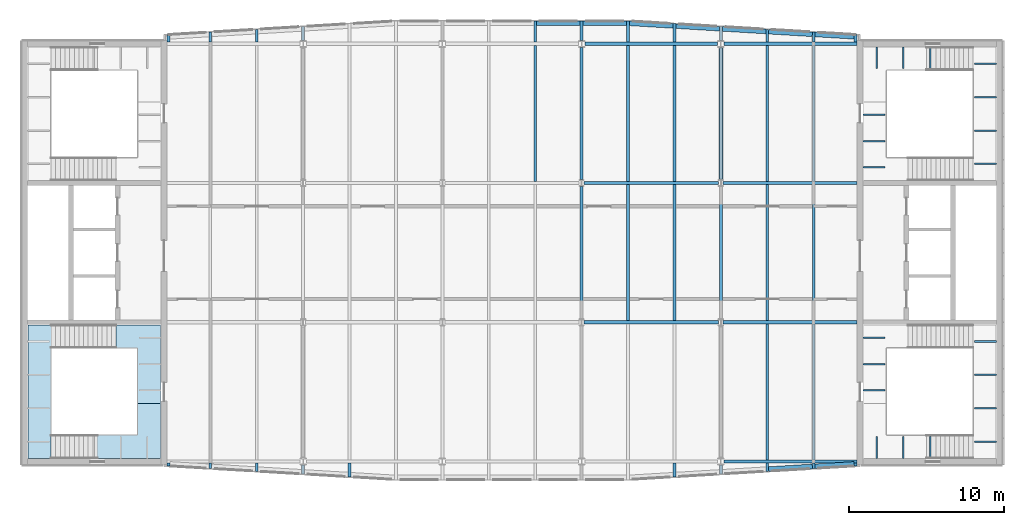
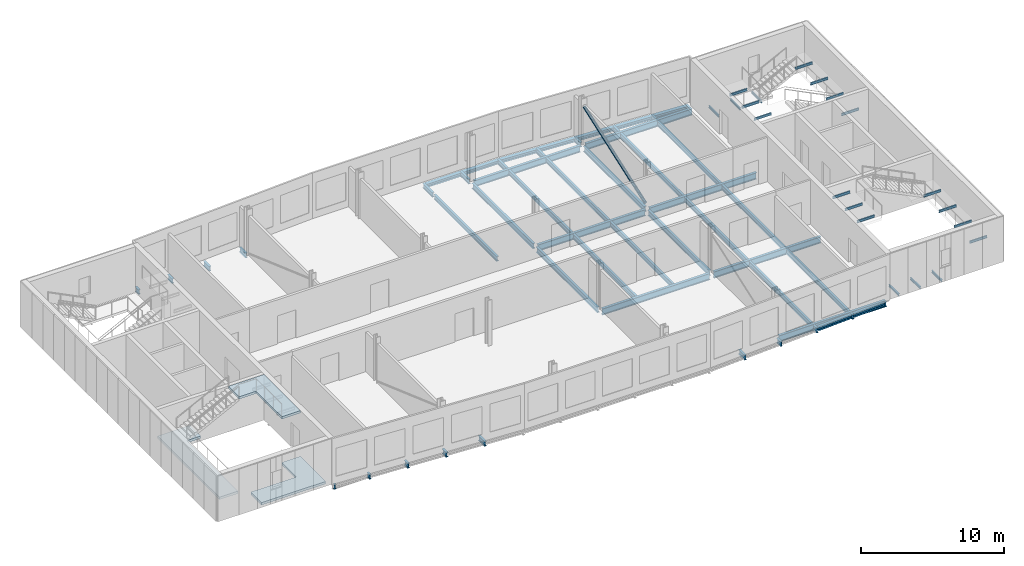
# One storey, part 2 of 9: 73 beams, 3 slabs, 1 member, 1 element without a shape of its own.
"""IFC4 building model written with IfcOpenShell, lengths in metres."""

from ifc_helpers import new_model, si_unit, direction, frame, origin, origin_2d, place, context, subcontext, project, spatial, polyline, hollow_circle, i_section, outline, extrude, material, layer, layer_set, material_profile, profile_set, type_object, element, aggregate, save


model = new_model("IFC4")

# Units and contexts
model_context = context("Model", 3, precision=1e-05, world=origin(), true_north=direction((0.0, 1.0)))
body_context = subcontext(model_context, "Body", "Model", "MODEL_VIEW")
ifc_project = project(units=[si_unit("LENGTHUNIT", "METRE"), si_unit("AREAUNIT", "SQUARE_METRE"), si_unit("VOLUMEUNIT", "CUBIC_METRE"), si_unit("PLANEANGLEUNIT", "RADIAN"), si_unit("MASSUNIT", "GRAM", prefix="KILO")], contexts=[model_context])

# Site, building, storey
site_placement = place(None, origin())
site = spatial("IfcSite", under=ifc_project, at=site_placement, CompositionType="ELEMENT")
building_placement = place(site_placement, origin())
building = spatial("IfcBuilding", under=site, at=building_placement, Name="Azimuth Sports and Learning Centre", CompositionType="ELEMENT")
storey_placement = place(building_placement, frame((0.0, 0.0, 51.89990234375)))
storey = spatial("IfcBuildingStorey", under=building, at=storey_placement, Name="L11", CompositionType="ELEMENT", Elevation=51.89990234375)

# Beams
ifc_material_1 = material(Name="Steel S355", Category="steel")
ifc_material_profile_1 = material_profile(ifc_material_1, i_section(OverallWidth=0.10009765625, OverallDepth=0.199951171875, WebThickness=0.005615234375, FlangeThickness=0.008544921875, FilletRadius=0.011962890625, at=origin_2d()), Name="IPE 200")
ifc_profile_set_1 = profile_set([ifc_material_profile_1], Name="Steel S355")
beam_type_1 = type_object("IfcBeamType", Name="Beam IPE 200", PredefinedType="BEAM", material=ifc_profile_set_1)
for number, where, z_axis, x_axis, name in (
    (1, (109.0732421875, 90.199951171875, -0.2998046875), (0.0, 1.0, 0.0), (-1.0, 0.0, 0.0), "Landing bracket E1 L11 465"),
    (2, (110.800048828125, 90.199951171875, -0.2998046875), (0.0, 1.0, 0.0), (-1.0, 0.0, 0.0), "Landing bracket E1 L11 466"),
    (3, (112.526611328125, 90.199951171875, -0.2998046875), (0.0, 1.0, 0.0), (-1.0, 0.0, 0.0), "Landing bracket E1 L11 467"),
    (4, (116.800048828125, 91.288818359375, 1.35009765625), (-1.0, 0.0, 0.0), (0.0, -1.0, 0.0), "Landing bracket E1 L11 468"),
    (5, (116.800048828125, 93.4462890625, 1.35009765625), (-1.0, 0.0, 0.0), (0.0, -1.0, 0.0), "Landing bracket E1 L11 469"),
    (6, (116.800048828125, 95.603759765625, 1.35009765625), (-1.0, 0.0, 0.0), (0.0, -1.0, 0.0), "Landing bracket E1 L11 470"),
    (7, (116.800048828125, 97.76123046875, 1.35009765625), (-1.0, 0.0, 0.0), (0.0, -1.0, 0.0), "Landing bracket E1 L11 471"),
    (8, (108.199951171875, 94.598388671875, 3.60009765625), (1.0, 0.0, 0.0), (0.0, 1.0, 0.0), "Landing bracket E1 L11 472"),
    (9, (108.199951171875, 96.294921875, 3.60009765625), (1.0, 0.0, 0.0), (0.0, 1.0, 0.0), "Landing bracket E1 L11 473"),
    (10, (108.199951171875, 97.99169921875, 3.60009765625), (1.0, 0.0, 0.0), (0.0, 1.0, 0.0), "Landing bracket E1 L11 474"),
    (11, (109.0732421875, 116.800048828125, -0.2998046875), (0.0, -1.0, 0.0), (1.0, 0.0, 0.0), "Landing bracket E2 L11 643"),
    (12, (110.800048828125, 116.800048828125, -0.2998046875), (0.0, -1.0, 0.0), (1.0, 0.0, 0.0), "Landing bracket E2 L11 644"),
    (13, (112.526611328125, 116.800048828125, -0.2998046875), (0.0, -1.0, 0.0), (1.0, 0.0, 0.0), "Landing bracket E2 L11 645"),
    (14, (116.800048828125, 109.23876953125, 1.35009765625), (-1.0, 0.0, 0.0), (0.0, -1.0, 0.0), "Landing bracket E2 L11 646"),
    (15, (116.800048828125, 111.396240234375, 1.35009765625), (-1.0, 0.0, 0.0), (0.0, -1.0, 0.0), "Landing bracket E2 L11 647"),
    (16, (116.800048828125, 113.5537109375, 1.35009765625), (-1.0, 0.0, 0.0), (0.0, -1.0, 0.0), "Landing bracket E2 L11 648"),
    (17, (116.800048828125, 115.711181640625, 1.35009765625), (-1.0, 0.0, 0.0), (0.0, -1.0, 0.0), "Landing bracket E2 L11 649"),
    (18, (108.199951171875, 109.00830078125, 3.60009765625), (1.0, 0.0, 0.0), (0.0, 1.0, 0.0), "Landing bracket E2 L11 650"),
    (19, (108.199951171875, 110.705078125, 3.60009765625), (1.0, 0.0, 0.0), (0.0, 1.0, 0.0), "Landing bracket E2 L11 651"),
    (20, (108.199951171875, 112.401611328125, 3.60009765625), (1.0, 0.0, 0.0), (0.0, 1.0, 0.0), "Landing bracket E2 L11 652"),
):
    element("IfcBeam", number, at=place(storey_placement, frame(where, z_axis=z_axis, x_axis=x_axis)), inside=storey, type_object=beam_type_1, Name=name, PredefinedType="BEAM", context=body_context, shape_type="SweptSolid", body=[
        extrude(i_section(OverallWidth=0.10009765625, OverallDepth=0.199951171875, WebThickness=0.005615234375, FlangeThickness=0.008544921875, FilletRadius=0.011962890625, at=origin_2d()), origin(), (0.0, 0.0, 1.0), 1.41015625),
    ])
ifc_material_2 = material(Name="Steel S355", Category="steel")
ifc_material_profile_2 = material_profile(ifc_material_2, i_section(OverallWidth=0.18994140625, OverallDepth=0.449951171875, WebThickness=0.009521484375, FlangeThickness=0.0146484375, FilletRadius=0.02099609375, at=origin_2d()), Name="IPE 450")
ifc_profile_set_2 = profile_set([ifc_material_profile_2], Name="Steel S355")
beam_type_2 = type_object("IfcBeamType", Name="Beam IPE 450", PredefinedType="BEAM", material=ifc_profile_set_2)
beam_1_placement = place(storey_placement, frame((90.0, 99.216064453125, -0.35498046875), z_axis=(0.0, 1.0, 0.0), x_axis=(-1.0, 0.0, 0.0)))
element("IfcBeam", 21, at=beam_1_placement, inside=storey, type_object=beam_type_2, Name="Tower tie", PredefinedType="BEAM", context=body_context, shape_type="SweptSolid", body=[
    extrude(i_section(OverallWidth=0.18994140625, OverallDepth=0.449951171875, WebThickness=0.009521484375, FlangeThickness=0.0146484375, FilletRadius=0.02099609375, at=origin_2d()), origin(), (0.0, 0.0, 1.0), 8.56787109375),
])
beam_2_placement = place(storey_placement, frame((90.0, 108.216064453125, -0.35498046875), z_axis=(0.0, 1.0, 0.0), x_axis=(-1.0, 0.0, 0.0)))
element("IfcBeam", 22, at=beam_2_placement, inside=storey, type_object=beam_type_2, Name="Tower tie", PredefinedType="BEAM", context=body_context, shape_type="SweptSolid", body=[
    extrude(i_section(OverallWidth=0.18994140625, OverallDepth=0.449951171875, WebThickness=0.009521484375, FlangeThickness=0.0146484375, FilletRadius=0.02099609375, at=origin_2d()), origin(), (0.0, 0.0, 1.0), 8.556396484375),
])
beam_3_placement = place(storey_placement, frame((99.0, 99.216064453125, -0.35498046875), z_axis=(0.0, 1.0, 0.0), x_axis=(-1.0, 0.0, 0.0)))
element("IfcBeam", 23, at=beam_3_placement, inside=storey, type_object=beam_type_2, Name="Tower tie", PredefinedType="BEAM", context=body_context, shape_type="SweptSolid", body=[
    extrude(i_section(OverallWidth=0.18994140625, OverallDepth=0.449951171875, WebThickness=0.009521484375, FlangeThickness=0.0146484375, FilletRadius=0.02099609375, at=origin_2d()), origin(), (0.0, 0.0, 1.0), 8.56787109375),
])
beam_4_placement = place(storey_placement, frame((99.0, 108.216064453125, -0.35498046875), z_axis=(0.0, 1.0, 0.0), x_axis=(-1.0, 0.0, 0.0)))
element("IfcBeam", 24, at=beam_4_placement, inside=storey, type_object=beam_type_2, Name="Tower tie", PredefinedType="BEAM", context=body_context, shape_type="SweptSolid", body=[
    extrude(i_section(OverallWidth=0.18994140625, OverallDepth=0.449951171875, WebThickness=0.009521484375, FlangeThickness=0.0146484375, FilletRadius=0.02099609375, at=origin_2d()), origin(), (0.0, 0.0, 1.0), 8.556396484375),
])
ifc_material_3 = material(Name="Steel S355", Category="steel")
ifc_material_profile_3 = material_profile(ifc_material_3, i_section(OverallWidth=0.2099609375, OverallDepth=0.550048828125, WebThickness=0.010986328125, FlangeThickness=0.01708984375, FilletRadius=0.02392578125, at=origin_2d()), Name="IPE 550")
ifc_profile_set_3 = profile_set([ifc_material_profile_3], Name="Steel S355")
beam_type_3 = type_object("IfcBeamType", Name="Beam IPE 550", PredefinedType="BEAM", material=ifc_profile_set_3)
beam_5_placement = place(storey_placement, frame((99.208984375, 90.0, -0.40478515625), z_axis=(1.0, 0.0, 0.0), x_axis=(0.0, 1.0, 0.0)))
element("IfcBeam", 25, at=beam_5_placement, inside=storey, type_object=beam_type_3, Name="Tower girder L11", PredefinedType="BEAM", context=body_context, shape_type="SweptSolid", body=[
    extrude(i_section(OverallWidth=0.2099609375, OverallDepth=0.550048828125, WebThickness=0.010986328125, FlangeThickness=0.01708984375, FilletRadius=0.02392578125, at=origin_2d()), origin(), (0.0, 0.0, 1.0), 8.591064453125),
])
beam_6_placement = place(storey_placement, frame((90.153564453125, 99.0, -0.40478515625), z_axis=(1.0, 0.0, 0.0), x_axis=(0.0, 1.0, 0.0)))
element("IfcBeam", 26, at=beam_6_placement, inside=storey, type_object=beam_type_3, Name="Tower girder L11", PredefinedType="BEAM", context=body_context, shape_type="SweptSolid", body=[
    extrude(i_section(OverallWidth=0.2099609375, OverallDepth=0.550048828125, WebThickness=0.010986328125, FlangeThickness=0.01708984375, FilletRadius=0.02392578125, at=origin_2d()), origin(), (0.0, 0.0, 1.0), 8.69287109375),
])
beam_7_placement = place(storey_placement, frame((99.153564453125, 99.0, -0.40478515625), z_axis=(1.0, 0.0, 0.0), x_axis=(0.0, 1.0, 0.0)))
element("IfcBeam", 27, at=beam_7_placement, inside=storey, type_object=beam_type_3, Name="Tower girder L11", PredefinedType="BEAM", context=body_context, shape_type="SweptSolid", body=[
    extrude(i_section(OverallWidth=0.2099609375, OverallDepth=0.550048828125, WebThickness=0.010986328125, FlangeThickness=0.01708984375, FilletRadius=0.02392578125, at=origin_2d()), origin(), (0.0, 0.0, 1.0), 8.646484375),
])
beam_8_placement = place(storey_placement, frame((90.153564453125, 108.0, -0.40478515625), z_axis=(1.0, 0.0, 0.0), x_axis=(0.0, 1.0, 0.0)))
element("IfcBeam", 28, at=beam_8_placement, inside=storey, type_object=beam_type_3, Name="Tower girder L11", PredefinedType="BEAM", context=body_context, shape_type="SweptSolid", body=[
    extrude(i_section(OverallWidth=0.2099609375, OverallDepth=0.550048828125, WebThickness=0.010986328125, FlangeThickness=0.01708984375, FilletRadius=0.02392578125, at=origin_2d()), origin(), (0.0, 0.0, 1.0), 8.69287109375),
])
beam_9_placement = place(storey_placement, frame((99.153564453125, 108.0, -0.40478515625), z_axis=(1.0, 0.0, 0.0), x_axis=(0.0, 1.0, 0.0)))
element("IfcBeam", 29, at=beam_9_placement, inside=storey, type_object=beam_type_3, Name="Tower girder L11", PredefinedType="BEAM", context=body_context, shape_type="SweptSolid", body=[
    extrude(i_section(OverallWidth=0.2099609375, OverallDepth=0.550048828125, WebThickness=0.010986328125, FlangeThickness=0.01708984375, FilletRadius=0.02392578125, at=origin_2d()), origin(), (0.0, 0.0, 1.0), 8.646484375),
])
beam_10_placement = place(storey_placement, frame((90.208984375, 117.0, -0.40478515625), z_axis=(1.0, 0.0, 0.0), x_axis=(0.0, 1.0, 0.0)))
element("IfcBeam", 30, at=beam_10_placement, inside=storey, type_object=beam_type_3, Name="Tower girder L11", PredefinedType="BEAM", context=body_context, shape_type="SweptSolid", body=[
    extrude(i_section(OverallWidth=0.2099609375, OverallDepth=0.550048828125, WebThickness=0.010986328125, FlangeThickness=0.01708984375, FilletRadius=0.02392578125, at=origin_2d()), origin(), (0.0, 0.0, 1.0), 8.58203125),
])
beam_11_placement = place(storey_placement, frame((99.208984375, 117.0, -0.40478515625), z_axis=(1.0, 0.0, 0.0), x_axis=(0.0, 1.0, 0.0)))
element("IfcBeam", 31, at=beam_11_placement, inside=storey, type_object=beam_type_3, Name="Tower girder L11", PredefinedType="BEAM", context=body_context, shape_type="SweptSolid", body=[
    extrude(i_section(OverallWidth=0.2099609375, OverallDepth=0.550048828125, WebThickness=0.010986328125, FlangeThickness=0.01708984375, FilletRadius=0.02392578125, at=origin_2d()), origin(), (0.0, 0.0, 1.0), 8.591064453125),
])

# Member
ifc_material_4 = material(Name="Steel S355", Category="steel")
ifc_material_profile_4 = material_profile(ifc_material_4, hollow_circle(Radius=0.122314453125, WallThickness=0.012451171875, at=origin_2d()), Name="CHS 244.5x12.5")
ifc_profile_set_4 = profile_set([ifc_material_profile_4], Name="Steel S355")
member_type = type_object("IfcMemberType", Name="Brace CHS 244.5x12.5", PredefinedType="BRACE", material=ifc_profile_set_4)
member_placement = place(storey_placement, frame((99.0, 108.237060546875, 0.169921875), z_axis=(0.0, 0.942103788853, 0.33532141451), x_axis=(-1.0, 0.0, 0.0)))
element("IfcMember", 32, at=member_placement, inside=storey, type_object=member_type, Name="Tower brace 12 L11", PredefinedType="BRACE", context=body_context, shape_type="SweptSolid", body=[
    extrude(hollow_circle(Radius=0.122314453125, WallThickness=0.012451171875, at=origin_2d()), origin(), (0.0, 0.0, 1.0), 9.03759765625),
])

# Beams
ifc_material_5 = material(Name="Steel S355", Category="steel")
ifc_material_profile_5 = material_profile(ifc_material_5, i_section(OverallWidth=0.179931640625, OverallDepth=0.39990234375, WebThickness=0.008544921875, FlangeThickness=0.013427734375, FilletRadius=0.02099609375, at=origin_2d()), Name="IPE 400")
ifc_profile_set_5 = profile_set([ifc_material_profile_5], Name="Steel S355")
beam_type_4 = type_object("IfcBeamType", Name="Cantilever stub IPE 400", PredefinedType="JOIST", material=ifc_profile_set_5)
beam_12_placement = place(storey_placement, frame((63.2900390625, 89.89501953125, -0.329833984375), z_axis=(0.0, -1.0, 0.0), x_axis=(1.0, 0.0, 0.0)))
element("IfcBeam", 33, at=beam_12_placement, inside=storey, type_object=beam_type_4, Name="Tower cantilever stub", PredefinedType="JOIST", context=body_context, shape_type="SweptSolid", body=[
    extrude(i_section(OverallWidth=0.179931640625, OverallDepth=0.39990234375, WebThickness=0.008544921875, FlangeThickness=0.013427734375, FilletRadius=0.02099609375, at=origin_2d()), origin(), (0.0, 0.0, 1.0), 0.1923828125),
])
beam_13_placement = place(storey_placement, frame((66.0, 89.89501953125, -0.329833984375), z_axis=(0.0, -1.0, 0.0), x_axis=(1.0, 0.0, 0.0)))
element("IfcBeam", 34, at=beam_13_placement, inside=storey, type_object=beam_type_4, Name="Tower cantilever stub", PredefinedType="JOIST", context=body_context, shape_type="SweptSolid", body=[
    extrude(i_section(OverallWidth=0.179931640625, OverallDepth=0.39990234375, WebThickness=0.008544921875, FlangeThickness=0.013427734375, FilletRadius=0.02099609375, at=origin_2d()), origin(), (0.0, 0.0, 1.0), 0.35498046875),
])
beam_14_placement = place(storey_placement, frame((69.0, 89.89501953125, -0.329833984375), z_axis=(0.0, -1.0, 0.0), x_axis=(1.0, 0.0, 0.0)))
element("IfcBeam", 35, at=beam_14_placement, inside=storey, type_object=beam_type_4, Name="Tower cantilever stub", PredefinedType="JOIST", context=body_context, shape_type="SweptSolid", body=[
    extrude(i_section(OverallWidth=0.179931640625, OverallDepth=0.39990234375, WebThickness=0.008544921875, FlangeThickness=0.013427734375, FilletRadius=0.02099609375, at=origin_2d()), origin(), (0.0, 0.0, 1.0), 0.534912109375),
])
beam_15_placement = place(storey_placement, frame((72.0, 89.7724609375, -0.329833984375), z_axis=(0.0, -1.0, 0.0), x_axis=(1.0, 0.0, 0.0)))
element("IfcBeam", 36, at=beam_15_placement, inside=storey, type_object=beam_type_4, Name="Tower cantilever stub", PredefinedType="JOIST", context=body_context, shape_type="SweptSolid", body=[
    extrude(i_section(OverallWidth=0.179931640625, OverallDepth=0.39990234375, WebThickness=0.008544921875, FlangeThickness=0.013427734375, FilletRadius=0.02099609375, at=origin_2d()), origin(), (0.0, 0.0, 1.0), 0.592529296875),
])
for number, where, z_axis, x_axis, name in (
    (37, (75.0, 89.89501953125, -0.329833984375), (0.0, -1.0, 0.0), (1.0, 0.0, 0.0), "Tower cantilever stub"),
    (38, (96.0, 89.89501953125, -0.329833984375), (0.0, -1.0, 0.0), (1.0, 0.0, 0.0), "Tower cantilever stub"),
):
    element("IfcBeam", number, at=place(storey_placement, frame(where, z_axis=z_axis, x_axis=x_axis)), inside=storey, type_object=beam_type_4, Name=name, PredefinedType="JOIST", context=body_context, shape_type="SweptSolid", body=[
        extrude(i_section(OverallWidth=0.179931640625, OverallDepth=0.39990234375, WebThickness=0.008544921875, FlangeThickness=0.013427734375, FilletRadius=0.02099609375, at=origin_2d()), origin(), (0.0, 0.0, 1.0), 0.89501953125),
    ])
beam_16_placement = place(storey_placement, frame((99.0, 89.7724609375, -0.329833984375), z_axis=(0.0, -1.0, 0.0), x_axis=(1.0, 0.0, 0.0)))
element("IfcBeam", 39, at=beam_16_placement, inside=storey, type_object=beam_type_4, Name="Tower cantilever stub", PredefinedType="JOIST", context=body_context, shape_type="SweptSolid", body=[
    extrude(i_section(OverallWidth=0.179931640625, OverallDepth=0.39990234375, WebThickness=0.008544921875, FlangeThickness=0.013427734375, FilletRadius=0.02099609375, at=origin_2d()), origin(), (0.0, 0.0, 1.0), 0.592529296875),
])
beam_17_placement = place(storey_placement, frame((102.0, 89.89501953125, -0.329833984375), z_axis=(0.0, -1.0, 0.0), x_axis=(1.0, 0.0, 0.0)))
element("IfcBeam", 40, at=beam_17_placement, inside=storey, type_object=beam_type_4, Name="Tower cantilever stub", PredefinedType="JOIST", context=body_context, shape_type="SweptSolid", body=[
    extrude(i_section(OverallWidth=0.179931640625, OverallDepth=0.39990234375, WebThickness=0.008544921875, FlangeThickness=0.013427734375, FilletRadius=0.02099609375, at=origin_2d()), origin(), (0.0, 0.0, 1.0), 0.534912109375),
])
beam_18_placement = place(storey_placement, frame((105.0, 89.89501953125, -0.329833984375), z_axis=(0.0, -1.0, 0.0), x_axis=(1.0, 0.0, 0.0)))
element("IfcBeam", 41, at=beam_18_placement, inside=storey, type_object=beam_type_4, Name="Tower cantilever stub", PredefinedType="JOIST", context=body_context, shape_type="SweptSolid", body=[
    extrude(i_section(OverallWidth=0.179931640625, OverallDepth=0.39990234375, WebThickness=0.008544921875, FlangeThickness=0.013427734375, FilletRadius=0.02099609375, at=origin_2d()), origin(), (0.0, 0.0, 1.0), 0.35498046875),
])
beam_19_placement = place(storey_placement, frame((107.7099609375, 89.89501953125, -0.329833984375), z_axis=(0.0, -1.0, 0.0), x_axis=(1.0, 0.0, 0.0)))
element("IfcBeam", 42, at=beam_19_placement, inside=storey, type_object=beam_type_4, Name="Tower cantilever stub", PredefinedType="JOIST", context=body_context, shape_type="SweptSolid", body=[
    extrude(i_section(OverallWidth=0.179931640625, OverallDepth=0.39990234375, WebThickness=0.008544921875, FlangeThickness=0.013427734375, FilletRadius=0.02099609375, at=origin_2d()), origin(), (0.0, 0.0, 1.0), 0.1923828125),
])
beam_20_placement = place(storey_placement, frame((63.2900390625, 117.10498046875, -0.329833984375), z_axis=(0.0, 1.0, 0.0), x_axis=(-1.0, 0.0, 0.0)))
element("IfcBeam", 43, at=beam_20_placement, inside=storey, type_object=beam_type_4, Name="Tower cantilever stub", PredefinedType="JOIST", context=body_context, shape_type="SweptSolid", body=[
    extrude(i_section(OverallWidth=0.179931640625, OverallDepth=0.39990234375, WebThickness=0.008544921875, FlangeThickness=0.013427734375, FilletRadius=0.02099609375, at=origin_2d()), origin(), (0.0, 0.0, 1.0), 0.492431640625),
])
beam_21_placement = place(storey_placement, frame((66.0, 117.10498046875, -0.329833984375), z_axis=(0.0, 1.0, 0.0), x_axis=(-1.0, 0.0, 0.0)))
element("IfcBeam", 44, at=beam_21_placement, inside=storey, type_object=beam_type_4, Name="Tower cantilever stub", PredefinedType="JOIST", context=body_context, shape_type="SweptSolid", body=[
    extrude(i_section(OverallWidth=0.179931640625, OverallDepth=0.39990234375, WebThickness=0.008544921875, FlangeThickness=0.013427734375, FilletRadius=0.02099609375, at=origin_2d()), origin(), (0.0, 0.0, 1.0), 0.655029296875),
])
beam_22_placement = place(storey_placement, frame((69.0, 117.10498046875, -0.329833984375), z_axis=(0.0, 1.0, 0.0), x_axis=(-1.0, 0.0, 0.0)))
element("IfcBeam", 45, at=beam_22_placement, inside=storey, type_object=beam_type_4, Name="Tower cantilever stub", PredefinedType="JOIST", context=body_context, shape_type="SweptSolid", body=[
    extrude(i_section(OverallWidth=0.179931640625, OverallDepth=0.39990234375, WebThickness=0.008544921875, FlangeThickness=0.013427734375, FilletRadius=0.02099609375, at=origin_2d()), origin(), (0.0, 0.0, 1.0), 0.8349609375),
])
beam_23_placement = place(storey_placement, frame((72.0, 117.2275390625, -0.329833984375), z_axis=(0.0, 1.0, 0.0), x_axis=(-1.0, 0.0, 0.0)))
element("IfcBeam", 46, at=beam_23_placement, inside=storey, type_object=beam_type_4, Name="Tower cantilever stub", PredefinedType="JOIST", context=body_context, shape_type="SweptSolid", body=[
    extrude(i_section(OverallWidth=0.179931640625, OverallDepth=0.39990234375, WebThickness=0.008544921875, FlangeThickness=0.013427734375, FilletRadius=0.02099609375, at=origin_2d()), origin(), (0.0, 0.0, 1.0), 0.892578125),
])
beam_24_placement = place(storey_placement, frame((87.0, 117.10498046875, -0.329833984375), z_axis=(0.0, 1.0, 0.0), x_axis=(-1.0, 0.0, 0.0)))
element("IfcBeam", 47, at=beam_24_placement, inside=storey, type_object=beam_type_4, Name="Tower cantilever stub", PredefinedType="JOIST", context=body_context, shape_type="SweptSolid", body=[
    extrude(i_section(OverallWidth=0.179931640625, OverallDepth=0.39990234375, WebThickness=0.008544921875, FlangeThickness=0.013427734375, FilletRadius=0.02099609375, at=origin_2d()), origin(), (0.0, 0.0, 1.0), 1.375),
])
beam_25_placement = place(storey_placement, frame((90.0, 117.2275390625, -0.329833984375), z_axis=(0.0, 1.0, 0.0), x_axis=(-1.0, 0.0, 0.0)))
element("IfcBeam", 48, at=beam_25_placement, inside=storey, type_object=beam_type_4, Name="Tower cantilever stub", PredefinedType="JOIST", context=body_context, shape_type="SweptSolid", body=[
    extrude(i_section(OverallWidth=0.179931640625, OverallDepth=0.39990234375, WebThickness=0.008544921875, FlangeThickness=0.013427734375, FilletRadius=0.02099609375, at=origin_2d()), origin(), (0.0, 0.0, 1.0), 1.25244140625),
])
beam_26_placement = place(storey_placement, frame((93.0, 117.10498046875, -0.329833984375), z_axis=(0.0, 1.0, 0.0), x_axis=(-1.0, 0.0, 0.0)))
element("IfcBeam", 49, at=beam_26_placement, inside=storey, type_object=beam_type_4, Name="Tower cantilever stub", PredefinedType="JOIST", context=body_context, shape_type="SweptSolid", body=[
    extrude(i_section(OverallWidth=0.179931640625, OverallDepth=0.39990234375, WebThickness=0.008544921875, FlangeThickness=0.013427734375, FilletRadius=0.02099609375, at=origin_2d()), origin(), (0.0, 0.0, 1.0), 1.375),
])
beam_27_placement = place(storey_placement, frame((96.0, 117.10498046875, -0.329833984375), z_axis=(0.0, 1.0, 0.0), x_axis=(-1.0, 0.0, 0.0)))
element("IfcBeam", 50, at=beam_27_placement, inside=storey, type_object=beam_type_4, Name="Tower cantilever stub", PredefinedType="JOIST", context=body_context, shape_type="SweptSolid", body=[
    extrude(i_section(OverallWidth=0.179931640625, OverallDepth=0.39990234375, WebThickness=0.008544921875, FlangeThickness=0.013427734375, FilletRadius=0.02099609375, at=origin_2d()), origin(), (0.0, 0.0, 1.0), 1.195068359375),
])
beam_28_placement = place(storey_placement, frame((99.0, 117.2275390625, -0.329833984375), z_axis=(0.0, 1.0, 0.0), x_axis=(-1.0, 0.0, 0.0)))
element("IfcBeam", 51, at=beam_28_placement, inside=storey, type_object=beam_type_4, Name="Tower cantilever stub", PredefinedType="JOIST", context=body_context, shape_type="SweptSolid", body=[
    extrude(i_section(OverallWidth=0.179931640625, OverallDepth=0.39990234375, WebThickness=0.008544921875, FlangeThickness=0.013427734375, FilletRadius=0.02099609375, at=origin_2d()), origin(), (0.0, 0.0, 1.0), 0.892578125),
])
beam_29_placement = place(storey_placement, frame((102.0, 117.10498046875, -0.329833984375), z_axis=(0.0, 1.0, 0.0), x_axis=(-1.0, 0.0, 0.0)))
element("IfcBeam", 52, at=beam_29_placement, inside=storey, type_object=beam_type_4, Name="Tower cantilever stub", PredefinedType="JOIST", context=body_context, shape_type="SweptSolid", body=[
    extrude(i_section(OverallWidth=0.179931640625, OverallDepth=0.39990234375, WebThickness=0.008544921875, FlangeThickness=0.013427734375, FilletRadius=0.02099609375, at=origin_2d()), origin(), (0.0, 0.0, 1.0), 0.8349609375),
])
beam_30_placement = place(storey_placement, frame((105.0, 117.10498046875, -0.329833984375), z_axis=(0.0, 1.0, 0.0), x_axis=(-1.0, 0.0, 0.0)))
element("IfcBeam", 53, at=beam_30_placement, inside=storey, type_object=beam_type_4, Name="Tower cantilever stub", PredefinedType="JOIST", context=body_context, shape_type="SweptSolid", body=[
    extrude(i_section(OverallWidth=0.179931640625, OverallDepth=0.39990234375, WebThickness=0.008544921875, FlangeThickness=0.013427734375, FilletRadius=0.02099609375, at=origin_2d()), origin(), (0.0, 0.0, 1.0), 0.655029296875),
])
beam_31_placement = place(storey_placement, frame((107.7099609375, 117.10498046875, -0.329833984375), z_axis=(0.0, 1.0, 0.0), x_axis=(-1.0, 0.0, 0.0)))
element("IfcBeam", 54, at=beam_31_placement, inside=storey, type_object=beam_type_4, Name="Tower cantilever stub", PredefinedType="JOIST", context=body_context, shape_type="SweptSolid", body=[
    extrude(i_section(OverallWidth=0.179931640625, OverallDepth=0.39990234375, WebThickness=0.008544921875, FlangeThickness=0.013427734375, FilletRadius=0.02099609375, at=origin_2d()), origin(), (0.0, 0.0, 1.0), 0.492431640625),
])
ifc_material_6 = material(Name="Steel S355", Category="steel")
ifc_material_profile_6 = material_profile(ifc_material_6, i_section(OverallWidth=0.300048828125, OverallDepth=0.2900390625, WebThickness=0.008544921875, FlangeThickness=0.013916015625, FilletRadius=0.027099609375, at=origin_2d()), Name="HEA 300")
ifc_profile_set_6 = profile_set([ifc_material_profile_6], Name="Steel S355")
beam_type_5 = type_object("IfcBeamType", Name="Edge beam HEA 300", PredefinedType="SPANDREL", material=ifc_profile_set_6)
beam_32_placement = place(storey_placement, frame((102.090087890625, 89.515380859375, -0.27490234375), z_axis=(0.998204845466, 0.059892290728, 0.0), x_axis=(-0.059892290728, 0.998204845466, 0.0)))
element("IfcBeam", 55, at=beam_32_placement, inside=storey, type_object=beam_type_5, Name="Tower edge beam", PredefinedType="SPANDREL", context=body_context, shape_type="SweptSolid", body=[
    extrude(i_section(OverallWidth=0.300048828125, OverallDepth=0.2900390625, WebThickness=0.008544921875, FlangeThickness=0.013916015625, FilletRadius=0.027099609375, at=origin_2d()), origin(), (0.0, 0.0, 1.0), 2.824951171875),
])
beam_33_placement = place(storey_placement, frame((105.090087890625, 89.6953125, -0.27490234375), z_axis=(0.998203578329, 0.059913405937, 0.0), x_axis=(-0.059913405937, 0.998203578329, 0.0)))
element("IfcBeam", 56, at=beam_33_placement, inside=storey, type_object=beam_type_5, Name="Tower edge beam", PredefinedType="SPANDREL", context=body_context, shape_type="SweptSolid", body=[
    extrude(i_section(OverallWidth=0.300048828125, OverallDepth=0.2900390625, WebThickness=0.008544921875, FlangeThickness=0.013916015625, FilletRadius=0.027099609375, at=origin_2d()), origin(), (0.0, 0.0, 1.0), 2.53466796875),
])
for number, where, z_axis, x_axis, name in (
    (57, (87.090087890625, 118.330078125, -0.27490234375), (1.0, 0.0, 0.0), (0.0, 1.0, 0.0), "Tower edge beam"),
    (58, (90.090087890625, 118.330078125, -0.27490234375), (1.0, 0.0, 0.0), (0.0, 1.0, 0.0), "Tower edge beam"),
):
    element("IfcBeam", number, at=place(storey_placement, frame(where, z_axis=z_axis, x_axis=x_axis)), inside=storey, type_object=beam_type_5, Name=name, PredefinedType="SPANDREL", context=body_context, shape_type="SweptSolid", body=[
        extrude(i_section(OverallWidth=0.300048828125, OverallDepth=0.2900390625, WebThickness=0.008544921875, FlangeThickness=0.013916015625, FilletRadius=0.027099609375, at=origin_2d()), origin(), (0.0, 0.0, 1.0), 2.81982421875),
    ])
for number, where, z_axis, x_axis, name in (
    (59, (93.090087890625, 118.32470703125, -0.27490234375), (0.998204845466, -0.059892290728, 0.0), (0.059892290728, 0.998204845466, 0.0), "Tower edge beam"),
    (60, (96.090087890625, 118.14453125, -0.27490234375), (0.998204845466, -0.059892290728, 0.0), (0.059892290728, 0.998204845466, 0.0), "Tower edge beam"),
    (61, (99.090087890625, 117.964599609375, -0.27490234375), (0.998204845466, -0.059892290728, 0.0), (0.059892290728, 0.998204845466, 0.0), "Tower edge beam"),
    (62, (102.090087890625, 117.78466796875, -0.27490234375), (0.998204845466, -0.059892290728, 0.0), (0.059892290728, 0.998204845466, 0.0), "Tower edge beam"),
):
    element("IfcBeam", number, at=place(storey_placement, frame(where, z_axis=z_axis, x_axis=x_axis)), inside=storey, type_object=beam_type_5, Name=name, PredefinedType="SPANDREL", context=body_context, shape_type="SweptSolid", body=[
        extrude(i_section(OverallWidth=0.300048828125, OverallDepth=0.2900390625, WebThickness=0.008544921875, FlangeThickness=0.013916015625, FilletRadius=0.027099609375, at=origin_2d()), origin(), (0.0, 0.0, 1.0), 2.824951171875),
    ])
beam_34_placement = place(storey_placement, frame((105.090087890625, 117.6044921875, -0.27490234375), z_axis=(0.998209334468, -0.059817427068, 0.0), x_axis=(0.059817427068, 0.998209334468, 0.0)))
element("IfcBeam", 63, at=beam_34_placement, inside=storey, type_object=beam_type_5, Name="Tower edge beam", PredefinedType="SPANDREL", context=body_context, shape_type="SweptSolid", body=[
    extrude(i_section(OverallWidth=0.300048828125, OverallDepth=0.2900390625, WebThickness=0.008544921875, FlangeThickness=0.013916015625, FilletRadius=0.027099609375, at=origin_2d()), origin(), (0.0, 0.0, 1.0), 2.53466796875),
])
ifc_material_7 = material(Name="Steel S355", Category="steel")
ifc_material_profile_7 = material_profile(ifc_material_7, i_section(OverallWidth=0.179931640625, OverallDepth=0.39990234375, WebThickness=0.008544921875, FlangeThickness=0.013427734375, FilletRadius=0.02099609375, at=origin_2d()), Name="IPE 400")
ifc_profile_set_7 = profile_set([ifc_material_profile_7], Name="Steel S355")
beam_type_6 = type_object("IfcBeamType", Name="Joist IPE 400", PredefinedType="JOIST", material=ifc_profile_set_7)
for number, where, z_axis, x_axis, name in (
    (64, (87.0, 108.10498046875, -0.329833984375), (0.0, 1.0, 0.0), (-1.0, 0.0, 0.0), "Tower joist"),
    (65, (93.0, 99.10498046875, -0.329833984375), (0.0, 1.0, 0.0), (-1.0, 0.0, 0.0), "Tower joist"),
    (66, (93.0, 108.10498046875, -0.329833984375), (0.0, 1.0, 0.0), (-1.0, 0.0, 0.0), "Tower joist"),
    (67, (96.0, 99.10498046875, -0.329833984375), (0.0, 1.0, 0.0), (-1.0, 0.0, 0.0), "Tower joist"),
    (68, (96.0, 108.10498046875, -0.329833984375), (0.0, 1.0, 0.0), (-1.0, 0.0, 0.0), "Tower joist"),
    (69, (102.0, 90.10498046875, -0.329833984375), (0.0, 1.0, 0.0), (-1.0, 0.0, 0.0), "Tower joist"),
    (70, (102.0, 99.10498046875, -0.329833984375), (0.0, 1.0, 0.0), (-1.0, 0.0, 0.0), "Tower joist"),
    (71, (102.0, 108.10498046875, -0.329833984375), (0.0, 1.0, 0.0), (-1.0, 0.0, 0.0), "Tower joist"),
    (72, (105.0, 90.10498046875, -0.329833984375), (0.0, 1.0, 0.0), (-1.0, 0.0, 0.0), "Tower joist"),
    (73, (105.0, 99.10498046875, -0.329833984375), (0.0, 1.0, 0.0), (-1.0, 0.0, 0.0), "Tower joist"),
    (74, (105.0, 108.10498046875, -0.329833984375), (0.0, 1.0, 0.0), (-1.0, 0.0, 0.0), "Tower joist"),
):
    element("IfcBeam", number, at=place(storey_placement, frame(where, z_axis=z_axis, x_axis=x_axis)), inside=storey, type_object=beam_type_6, Name=name, PredefinedType="JOIST", context=body_context, shape_type="SweptSolid", body=[
        extrude(i_section(OverallWidth=0.179931640625, OverallDepth=0.39990234375, WebThickness=0.008544921875, FlangeThickness=0.013427734375, FilletRadius=0.02099609375, at=origin_2d()), origin(), (0.0, 0.0, 1.0), 8.7900390625),
    ])

# Stair, slabs
ifc_material_8 = material(Name="Concrete C32/40", Category="concrete")
stair_type = type_object("IfcStairType", Name="Square-well stair core 3900 storey", PredefinedType="THREE_QUARTER_TURN_STAIR", material=ifc_material_8)
stair_placement = place(storey_placement, origin())
stair = element("IfcStair", 75, at=stair_placement, inside=storey, type_object=stair_type, Name="Stair W1 L11-L12", PredefinedType="THREE_QUARTER_TURN_STAIR")
ifc_material_9 = material(Name="Concrete C32/40", Category="concrete")
ifc_layer = layer(ifc_material_9, 0.199951171875)
ifc_layer_set = layer_set([ifc_layer], Name="Concrete C32/40")
slab_type = type_object("IfcSlabType", Name="Concrete stair landing", PredefinedType="LANDING", material=ifc_layer_set)
slab_1_placement = place(storey_placement, frame((0.0, 0.0, -0.199951171875)))
slab_1 = element("IfcSlab", 76, at=slab_1_placement, type_object=slab_type, Name="Stair W1 L11 landing 1", PredefinedType="LANDING", context=body_context, shape_type="SweptSolid", body=[
    extrude(outline(polyline([(62.7900390625, 90.2099609375), (62.7900390625, 93.75), (61.2900390625, 93.75), (61.2900390625, 91.7099609375), (57.610107421875, 91.7099609375), (57.610107421875, 90.2099609375), (62.7900390625, 90.2099609375)])), origin(), (0.0, 0.0, 1.0), 0.199951171875),
])
slab_2_placement = place(storey_placement, frame((0.0, 0.0, 1.4501953125)))
slab_2 = element("IfcSlab", 77, at=slab_2_placement, type_object=slab_type, Name="Stair W1 L11 landing 2", PredefinedType="LANDING", context=body_context, shape_type="SweptSolid", body=[
    extrude(outline(polyline([(55.7099609375, 91.7099609375), (55.7099609375, 97.340087890625), (56.81005859375, 97.340087890625), (56.81005859375, 98.840087890625), (54.2099609375, 98.840087890625), (54.2099609375, 90.2099609375), (55.710693359375, 90.2099609375), (55.710693359375, 91.7099609375), (55.7099609375, 91.7099609375)])), origin(), (0.0, 0.0, 1.0), 0.199951171875),
])
slab_3_placement = place(storey_placement, frame((0.0, 0.0, 3.7001953125)))
slab_3 = element("IfcSlab", 78, at=slab_3_placement, type_object=slab_type, Name="Stair W1 L11 landing 3", PredefinedType="LANDING", context=body_context, shape_type="SweptSolid", body=[
    extrude(outline(polyline([(61.2900390625, 97.340087890625), (61.2900390625, 93.75), (62.7900390625, 93.75), (62.7900390625, 98.840087890625), (59.9091796875, 98.840087890625), (59.9091796875, 97.340087890625), (61.2900390625, 97.340087890625)])), origin(), (0.0, 0.0, 1.0), 0.199951171875),
])
aggregate(stair, [slab_1, slab_2, slab_3])

save(model, "model.ifc")
